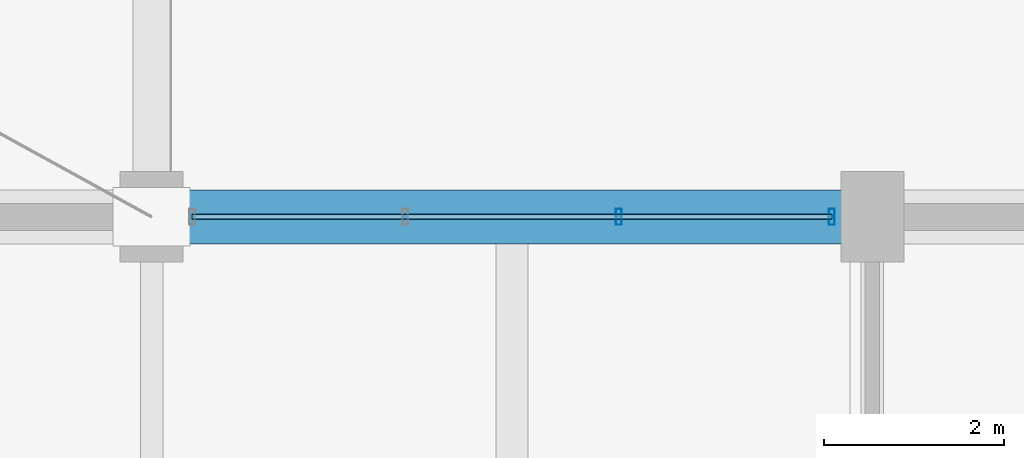
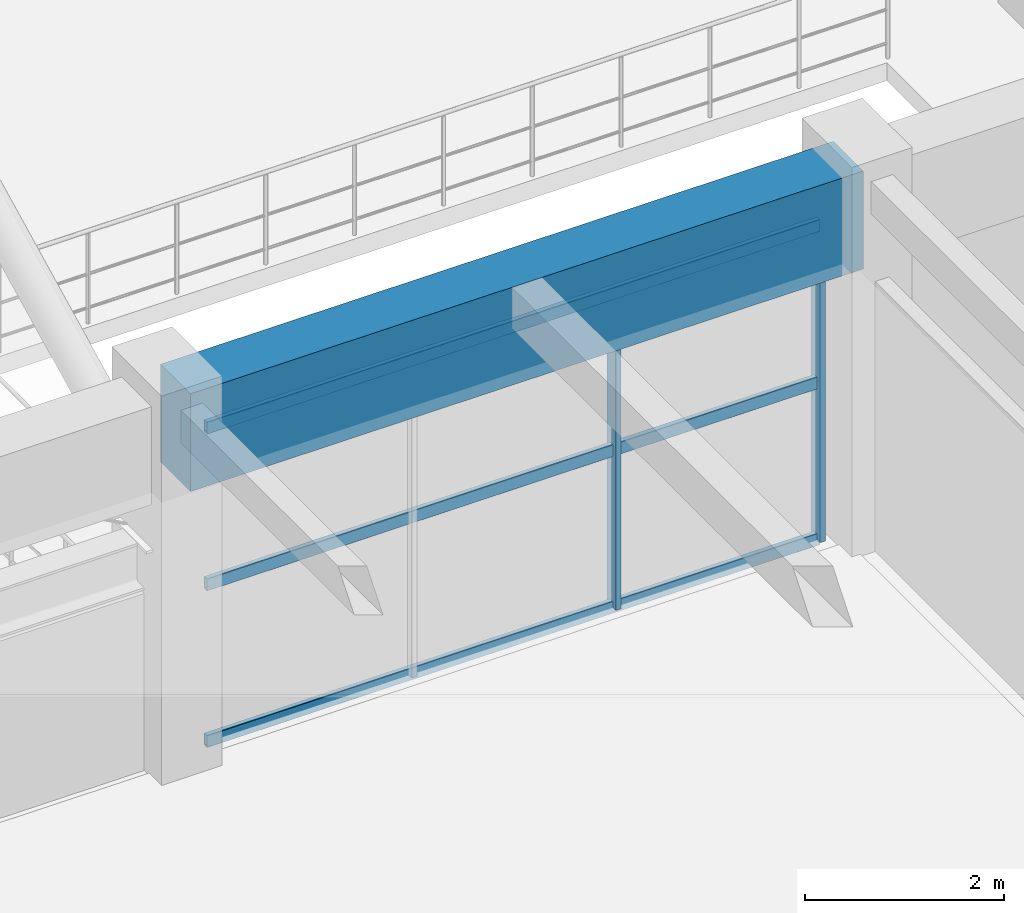
# One storey, part 12 of 144: 5 members, 1 beam, 1 element without a shape of its own.
"""IFC4 building model written with IfcOpenShell, lengths in metres."""

from ifc_helpers import new_model, si_unit, direction, frame, origin, origin_2d, place, context, subcontext, project, spatial, rectangle, hollow_rectangle, extrude, material, material_profile, profile_set, type_object, element, aggregate, save


model = new_model("IFC4")

# Units and contexts
model_context = context("Model", 3, precision=1e-05, world=origin(), true_north=direction((0.0, 1.0)))
body_context = subcontext(model_context, "Body", "Model", "MODEL_VIEW")
ifc_project = project(units=[si_unit("LENGTHUNIT", "METRE"), si_unit("AREAUNIT", "SQUARE_METRE"), si_unit("VOLUMEUNIT", "CUBIC_METRE"), si_unit("PLANEANGLEUNIT", "RADIAN"), si_unit("MASSUNIT", "GRAM", prefix="KILO")], contexts=[model_context])

# Site, building, storey
site_placement = place(None, origin())
site = spatial("IfcSite", under=ifc_project, at=site_placement, CompositionType="ELEMENT")
building_placement = place(site_placement, origin())
building = spatial("IfcBuilding", under=site, at=building_placement, Name="Varnabhumi Central Station", CompositionType="ELEMENT")
storey_placement = place(building_placement, frame((0.0, 0.0, 4.800048828125)))
storey = spatial("IfcBuildingStorey", under=building, at=storey_placement, Name="L01", CompositionType="ELEMENT", Elevation=4.800048828125)

# Beam
ifc_material_1 = material(Name="Concrete M50", Category="concrete")
ifc_material_profile_1 = material_profile(ifc_material_1, rectangle(XDim=0.60009765625, YDim=1.199951171875, at=origin_2d()), Name="Concrete M50", Category="concrete")
ifc_profile_set_1 = profile_set([ifc_material_profile_1], Name="Concrete M50")
beam_type = type_object("IfcBeamType", Name="BM-RC-1200x600", PredefinedType="BEAM", material=ifc_profile_set_1)
beam_placement = place(storey_placement, frame((24.10009765625, 36.0, 3.949951171875), z_axis=(1.0, 0.0, 0.0), x_axis=(0.0, 1.0, 0.0)))
element("IfcBeam", 1, at=beam_placement, inside=storey, type_object=beam_type, Name="Beam L01-E:4-5", PredefinedType="BEAM", context=body_context, shape_type="SweptSolid", body=[
    extrude(rectangle(XDim=0.60009765625, YDim=1.199951171875, at=origin_2d()), origin(), (0.0, 0.0, 1.0), 7.7998046875),
])

# Curtain wall, members
ifc_material_2 = material(Name="Anodised aluminium 6063-T6", Category="aluminium")
curtain_wall_type = type_object("IfcCurtainWallType", Name="CW-SPINE-SCREEN-L0", PredefinedType="NOTDEFINED", material=ifc_material_2)
curtain_wall_placement = place(storey_placement, origin())
curtain_wall = element("IfcCurtainWall", 2, at=curtain_wall_placement, inside=storey, type_object=curtain_wall_type, Name="Curtain Wall CW-SS103", PredefinedType="NOTDEFINED")
ifc_material_profile_2 = material_profile(ifc_material_2, hollow_rectangle(XDim=0.06494140625, YDim=0.179931640625, WallThickness=0.00390625, InnerFilletRadius=0.001953125, OuterFilletRadius=0.006103515625, at=origin_2d()), Name="Anodised aluminium 6063-T6", Category="aluminium")
ifc_profile_set_2 = profile_set([ifc_material_profile_2], Name="Anodised aluminium 6063-T6")
member_type_1 = type_object("IfcMemberType", Name="CW-MUL-180", PredefinedType="MULLION", material=ifc_profile_set_2)
member_1_placement = place(storey_placement, frame((29.183349609375, 36.0, 0.0), z_axis=(0.0, 0.0, 1.0), x_axis=(1.0, 0.0, 0.0)))
member_1 = element("IfcMember", 3, at=member_1_placement, type_object=member_type_1, Name="Curtain Wall Mullion CW-SS103-M3", PredefinedType="MULLION", context=body_context, shape_type="SweptSolid", body=[
    extrude(hollow_rectangle(XDim=0.06494140625, YDim=0.179931640625, WallThickness=0.00390625, InnerFilletRadius=0.001953125, OuterFilletRadius=0.006103515625, at=origin_2d()), origin(), (0.0, 0.0, 1.0), 3.83984375),
])
member_2_placement = place(storey_placement, frame((31.550048828125, 36.0, 0.0), z_axis=(0.0, 0.0, 1.0), x_axis=(1.0, 0.0, 0.0)))
member_2 = element("IfcMember", 4, at=member_2_placement, type_object=member_type_1, Name="Curtain Wall Mullion CW-SS103-M4", PredefinedType="MULLION", context=body_context, shape_type="SweptSolid", body=[
    extrude(hollow_rectangle(XDim=0.06494140625, YDim=0.179931640625, WallThickness=0.00390625, InnerFilletRadius=0.001953125, OuterFilletRadius=0.006103515625, at=origin_2d()), origin(), (0.0, 0.0, 1.0), 3.83984375),
])
ifc_material_profile_3 = material_profile(ifc_material_2, hollow_rectangle(XDim=0.06005859375, YDim=0.14990234375, WallThickness=0.00390625, InnerFilletRadius=0.001953125, OuterFilletRadius=0.006103515625, at=origin_2d()), Name="Anodised aluminium 6063-T6", Category="aluminium")
ifc_profile_set_3 = profile_set([ifc_material_profile_3], Name="Anodised aluminium 6063-T6")
member_type_2 = type_object("IfcMemberType", Name="CW-TR-150", PredefinedType="USERDEFINED", material=ifc_profile_set_3)
member_3_placement = place(storey_placement, frame((24.449951171875, 36.0, 0.0), z_axis=(1.0, 0.0, 0.0), x_axis=(0.0, 1.0, 0.0)))
member_3 = element("IfcMember", 5, at=member_3_placement, type_object=member_type_2, Name="Curtain Wall Transom CW-SS103-T1", ObjectType="TRANSOM", PredefinedType="USERDEFINED", context=body_context, shape_type="SweptSolid", body=[
    extrude(hollow_rectangle(XDim=0.06005859375, YDim=0.14990234375, WallThickness=0.00390625, InnerFilletRadius=0.001953125, OuterFilletRadius=0.006103515625, at=origin_2d()), origin(), (0.0, 0.0, 1.0), 7.10009765625),
])
member_4_placement = place(storey_placement, frame((24.449951171875, 36.0, 1.919921875), z_axis=(1.0, 0.0, 0.0), x_axis=(0.0, 1.0, 0.0)))
member_4 = element("IfcMember", 6, at=member_4_placement, type_object=member_type_2, Name="Curtain Wall Transom CW-SS103-T2", ObjectType="TRANSOM", PredefinedType="USERDEFINED", context=body_context, shape_type="SweptSolid", body=[
    extrude(hollow_rectangle(XDim=0.06005859375, YDim=0.14990234375, WallThickness=0.00390625, InnerFilletRadius=0.001953125, OuterFilletRadius=0.006103515625, at=origin_2d()), origin(), (0.0, 0.0, 1.0), 7.10009765625),
])
member_5_placement = place(storey_placement, frame((24.449951171875, 36.0, 3.83984375), z_axis=(1.0, 0.0, 0.0), x_axis=(0.0, 1.0, 0.0)))
member_5 = element("IfcMember", 7, at=member_5_placement, type_object=member_type_2, Name="Curtain Wall Transom CW-SS103-T3", ObjectType="TRANSOM", PredefinedType="USERDEFINED", context=body_context, shape_type="SweptSolid", body=[
    extrude(hollow_rectangle(XDim=0.06005859375, YDim=0.14990234375, WallThickness=0.00390625, InnerFilletRadius=0.001953125, OuterFilletRadius=0.006103515625, at=origin_2d()), origin(), (0.0, 0.0, 1.0), 7.10009765625),
])
aggregate(curtain_wall, [member_1, member_2, member_3, member_4, member_5])

save(model, "model.ifc")
